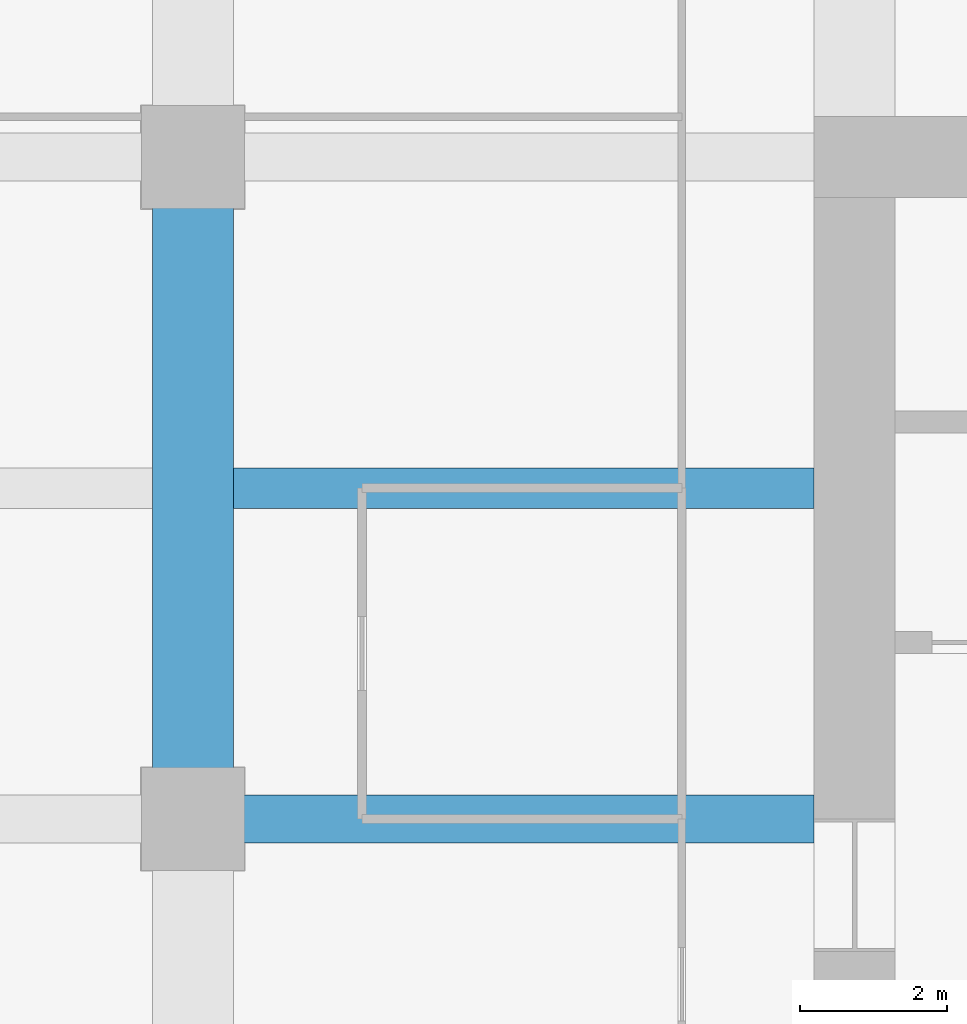
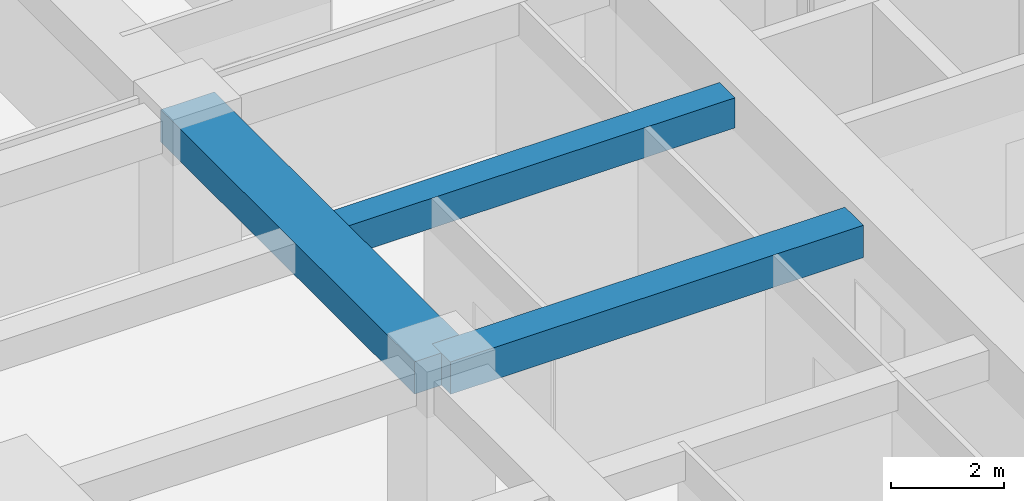
# One storey, part 12 of 32: 3 beams.
"""IFC4 building model written with IfcOpenShell, lengths in metres."""

import ifcopenshell
import ifcopenshell.guid

model = None  # the IFC model being written
_history = None  # IfcOwnerHistory: only IFC2X3 demands one
_inside = {}  # id of a spatial element -> (the spatial element, [elements in it])
_under = {}  # id of a project, library or spatial element -> (it, [spatial elements below it])
_declared = {}  # id of a project -> (the project, [libraries it declares])
_typed = {}  # id of a type object -> (the type object, [elements of that type])
_made_of = {}  # id of a material, layer set ... -> (it, [elements and type objects made of it])


def new_model(schema):
    """Start an empty IFC model of exactly this schema.

    Asked for "IFC4X3", IfcOpenShell would pick the latest addendum, in which some entities
    have other attributes; the version numbers below select the first issue.
    IFC2X3 requires an IfcOwnerHistory on every rooted entity: one is made here for all.
    """
    global model, _history
    if schema == "IFC4X3":
        model = ifcopenshell.file(schema_version=(4, 3, 0, 0))
    else:
        model = ifcopenshell.file(schema=schema)
    _inside.clear()
    _under.clear()
    _declared.clear()
    _typed.clear()
    _made_of.clear()
    _history = None
    if model.schema == "IFC2X3":
        org = make("IfcOrganization", Name="unknown")
        user = make(
            "IfcPersonAndOrganization",
            ThePerson=make("IfcPerson", FamilyName="unknown"),
            TheOrganization=org,
        )
        app = make(
            "IfcApplication",
            ApplicationDeveloper=org,
            Version="unknown",
            ApplicationFullName="unknown",
            ApplicationIdentifier="unknown",
        )
        _history = make(
            "IfcOwnerHistory",
            OwningUser=user,
            OwningApplication=app,
            ChangeAction="ADDED",
            CreationDate=0,
        )
    return model


def make(cls, **values):
    """One entity of the class cls with the attributes given. An attribute that is None is left unset."""
    return model.create_entity(
        cls, **{name: value for name, value in values.items() if value is not None}
    )


def rooted(cls, **values):
    """An entity with a GlobalId (a new one), such as an element, a storey or a relation."""
    return make(cls, GlobalId=ifcopenshell.guid.new(), OwnerHistory=_history, **values)


def si_unit(unit_type, name, prefix=None):
    """IfcSIUnit, for example si_unit("LENGTHUNIT", "METRE", prefix="MILLI")."""
    return make("IfcSIUnit", UnitType=unit_type, Prefix=prefix, Name=name)


def assignment(units):
    """IfcUnitAssignment: the units of a project."""
    return None if units is None else make("IfcUnitAssignment", Units=units)


def point(xyz):
    """IfcCartesianPoint."""
    return None if xyz is None else make("IfcCartesianPoint", Coordinates=xyz)


def direction(xyz):
    """IfcDirection."""
    return None if xyz is None else make("IfcDirection", DirectionRatios=xyz)


def frame(location, z_axis=None, x_axis=None):
    """IfcAxis2Placement3D, a coordinate frame: its origin and axes. An axis left out is left unset."""
    return make(
        "IfcAxis2Placement3D",
        Location=point(location),
        Axis=direction(z_axis),
        RefDirection=direction(x_axis),
    )


def frame_2d(location, x_axis=None):
    """IfcAxis2Placement2D, a coordinate frame in the plane: its origin and x axis."""
    return make(
        "IfcAxis2Placement2D", Location=point(location), RefDirection=direction(x_axis)
    )


def origin():
    """The frame at (0, 0, 0) with its axes left unset."""
    return frame((0.0, 0.0, 0.0))


def origin_2d():
    """The frame at (0, 0) in the plane with its x axis left unset."""
    return frame_2d((0.0, 0.0))


def place(relative_to, where):
    """IfcLocalPlacement: puts the frame where relative to a parent placement (None: the world)."""
    return make(
        "IfcLocalPlacement", PlacementRelTo=relative_to, RelativePlacement=where
    )


def context(
    kind, dimensions, precision=None, world=None, true_north=None, identifier=None
):
    """IfcGeometricRepresentationContext, for example the 3D "Model" context."""
    return make(
        "IfcGeometricRepresentationContext",
        ContextIdentifier=identifier,
        ContextType=kind,
        CoordinateSpaceDimension=dimensions,
        Precision=precision,
        WorldCoordinateSystem=world,
        TrueNorth=true_north,
    )


def subcontext(parent, identifier, kind, view, scale=None):
    """IfcGeometricRepresentationSubContext, for example "Body" below "Model"."""
    return make(
        "IfcGeometricRepresentationSubContext",
        ContextIdentifier=identifier,
        ContextType=kind,
        ParentContext=parent,
        TargetScale=scale,
        TargetView=view,
    )


def project(units=None, contexts=None):
    """IfcProject with its units and contexts."""
    return rooted(
        "IfcProject",
        Name="project",
        RepresentationContexts=contexts,
        UnitsInContext=assignment(units),
    )


def spatial(cls, under=None, at=None, **own):
    """A site, building, storey or space (cls), placed at a placement, below another one or the project."""
    s = rooted(cls, ObjectPlacement=at, **own)
    if under is not None:
        _under.setdefault(under.id(), (under, []))[1].append(s)
    return s


def profile(cls, at=None, kind="AREA", **sizes):
    """A parametric profile (cls). Its sizes go by their IFC names, for example OverallWidth=200.0."""
    return make(cls, ProfileType=kind, Position=at, **sizes)


def rectangle(**sizes):
    """IfcRectangleProfileDef."""
    return profile("IfcRectangleProfileDef", **sizes)


def extrude(swept, where, along, depth):
    """IfcExtrudedAreaSolid: the profile swept, set in the frame where, extruded along a direction by depth."""
    return make(
        "IfcExtrudedAreaSolid",
        SweptArea=swept,
        Position=where,
        ExtrudedDirection=direction(along),
        Depth=depth,
    )


def shape(context_of_items, identifier, shape_type, items):
    """IfcShapeRepresentation: the items that make up one representation, for example the "Body"."""
    return make(
        "IfcShapeRepresentation",
        ContextOfItems=context_of_items,
        RepresentationIdentifier=identifier,
        RepresentationType=shape_type,
        Items=items,
    )


def material(Name=None, Category=None):
    """IfcMaterial."""
    return make("IfcMaterial", Name=Name, Category=Category)


def material_profile(
    of_material, cross_section, Name=None, Category=None, Priority=None
):
    """IfcMaterialProfile: a cross section and its material."""
    return make(
        "IfcMaterialProfile",
        Name=Name,
        Material=of_material,
        Profile=cross_section,
        Priority=Priority,
        Category=Category,
    )


def profile_set(profiles, Name=None, composite=None):
    """IfcMaterialProfileSet."""
    return make(
        "IfcMaterialProfileSet",
        Name=Name,
        MaterialProfiles=profiles,
        CompositeProfile=composite,
    )


def made_of(thing, what):
    """Note that an element or type object is made of a material, layer set ...; save() writes the relation."""
    if what is not None:
        _made_of.setdefault(what.id(), (what, []))[1].append(thing)
    return thing


def type_object(cls, material=None, **own):
    """A type object (cls), such as IfcWallType, which elements share."""
    return made_of(rooted(cls, **own), material)


def element(
    cls,
    number,
    at=None,
    inside=None,
    cuts=None,
    type_object=None,
    material=None,
    context=None,
    identifier="Body",
    shape_type=None,
    held_by="IfcProductDefinitionShape",
    body=None,
    shapes=None,
    **own,
):
    """One element of the class cls, such as IfcWall. Its Tag is "e" and its number.

    at: its placement. inside: the storey or other place that contains it. cuts: it is an
    opening in that element (IfcRelVoidsElement). A single representation is given by context,
    identifier, shape_type and body (its items); several are given by shapes. held_by: the class
    of the entity that holds the representations. save() writes the other relations.
    """
    e = rooted(cls, Tag="e%d" % number, ObjectPlacement=at, **own)
    if body is not None:
        shapes = [shape(context, identifier, shape_type, body)]
    if shapes is not None:
        e.Representation = make(held_by, Representations=shapes)
    if inside is not None:
        _inside.setdefault(inside.id(), (inside, []))[1].append(e)
    if cuts is not None:
        rooted(
            "IfcRelVoidsElement", RelatingBuildingElement=cuts, RelatedOpeningElement=e
        )
    if type_object is not None:
        _typed.setdefault(type_object.id(), (type_object, []))[1].append(e)
    return made_of(e, material)


def aggregate(whole, parts):
    """IfcRelAggregates: a whole, such as a stair, and the parts it consists of."""
    return rooted("IfcRelAggregates", RelatingObject=whole, RelatedObjects=parts)


def save(model, path):
    """Write the relations noted so far, then the file.

    IfcRelAggregates (storeys below a building ...), IfcRelContainedInSpatialStructure (elements
    in a storey), IfcRelDefinesByType, IfcRelAssociatesMaterial and IfcRelDeclares: one each for
    every whole, place, type object, material and project.
    """
    for whole, parts in _under.values():
        aggregate(whole, parts)
    for where, things in _inside.values():
        rooted(
            "IfcRelContainedInSpatialStructure",
            RelatedElements=things,
            RelatingStructure=where,
        )
    for kind, things in _typed.values():
        rooted("IfcRelDefinesByType", RelatedObjects=things, RelatingType=kind)
    for what, things in _made_of.values():
        rooted("IfcRelAssociatesMaterial", RelatedObjects=things, RelatingMaterial=what)
    for by, libraries in _declared.values():
        rooted("IfcRelDeclares", RelatingContext=by, RelatedDefinitions=libraries)
    model.write(path)


model = new_model("IFC4")

# Units and contexts
model_context = context("Model", 3, precision=1e-05, world=origin(), true_north=direction((0.0, 1.0)))
body_context = subcontext(model_context, "Body", "Model", "MODEL_VIEW")
ifc_project = project(units=[si_unit("LENGTHUNIT", "METRE"), si_unit("AREAUNIT", "SQUARE_METRE"), si_unit("VOLUMEUNIT", "CUBIC_METRE"), si_unit("PLANEANGLEUNIT", "RADIAN"), si_unit("MASSUNIT", "GRAM", prefix="KILO")], contexts=[model_context])

# Site, building, storey
site_placement = place(None, origin())
site = spatial("IfcSite", under=ifc_project, at=site_placement, CompositionType="ELEMENT")
building_placement = place(site_placement, origin())
building = spatial("IfcBuilding", under=site, at=building_placement, Name="Zorevar Civic Tower", CompositionType="ELEMENT")
storey_placement = place(building_placement, frame((0.0, 0.0, 198.199951171875)))
storey = spatial("IfcBuildingStorey", under=building, at=storey_placement, Name="L48", CompositionType="ELEMENT", Elevation=198.199951171875)

# Beams
ifc_material_1 = material(Name="Concrete C50/60", Category="concrete")
ifc_material_profile_1 = material_profile(ifc_material_1, rectangle(XDim=1.10009765625, YDim=0.699951171875, at=origin_2d()), Name="RC 1100x700")
ifc_profile_set_1 = profile_set([ifc_material_profile_1], Name="Concrete C50/60")
beam_type_1 = type_object("IfcBeamType", Name="Beam RC 1100x700", PredefinedType="BEAM", material=ifc_profile_set_1)
beam_1_placement = place(storey_placement, frame((9.0, 27.0, 3.400146484375), z_axis=(0.0, 1.0, 0.0), x_axis=(-1.0, 0.0, 0.0)))
element("IfcBeam", 1, at=beam_1_placement, inside=storey, type_object=beam_type_1, Name="Girder L49", PredefinedType="BEAM", context=body_context, shape_type="SweptSolid", body=[
    extrude(rectangle(XDim=1.10009765625, YDim=0.699951171875, at=origin_2d()), origin(), (0.0, 0.0, 1.0), 9.0),
])
ifc_material_2 = material(Name="Concrete C50/60", Category="concrete")
ifc_material_profile_2 = material_profile(ifc_material_2, rectangle(XDim=0.550048828125, YDim=0.64990234375, at=origin_2d()), Name="RC 550x650")
ifc_profile_set_2 = profile_set([ifc_material_profile_2], Name="Concrete C50/60")
beam_type_2 = type_object("IfcBeamType", Name="Beam RC 550x650", PredefinedType="BEAM", material=ifc_profile_set_2)
beam_2_placement = place(storey_placement, frame((9.550048828125, 31.5, 3.425048828125), z_axis=(1.0, 0.0, 0.0), x_axis=(0.0, 1.0, 0.0)))
element("IfcBeam", 2, at=beam_2_placement, inside=storey, type_object=beam_type_2, Name="Secondary beam L49", PredefinedType="BEAM", context=body_context, shape_type="SweptSolid", body=[
    extrude(rectangle(XDim=0.550048828125, YDim=0.64990234375, at=origin_2d()), origin(), (0.0, 0.0, 1.0), 7.89990234375),
])
ifc_material_3 = material(Name="Concrete C50/60", Category="concrete")
ifc_material_profile_3 = material_profile(ifc_material_3, rectangle(XDim=0.64990234375, YDim=0.699951171875, at=origin_2d()), Name="RC 650x700")
ifc_profile_set_3 = profile_set([ifc_material_profile_3], Name="Concrete C50/60")
beam_type_3 = type_object("IfcBeamType", Name="Beam RC 650x700", PredefinedType="BEAM", material=ifc_profile_set_3)
beam_3_placement = place(storey_placement, frame((9.0, 27.0, 3.400146484375), z_axis=(1.0, 0.0, 0.0), x_axis=(0.0, 1.0, 0.0)))
element("IfcBeam", 3, at=beam_3_placement, inside=storey, type_object=beam_type_3, Name="Girder L49", PredefinedType="BEAM", context=body_context, shape_type="SweptSolid", body=[
    extrude(rectangle(XDim=0.64990234375, YDim=0.699951171875, at=origin_2d()), origin(), (0.0, 0.0, 1.0), 8.449951171875),
])

save(model, "model.ifc")
